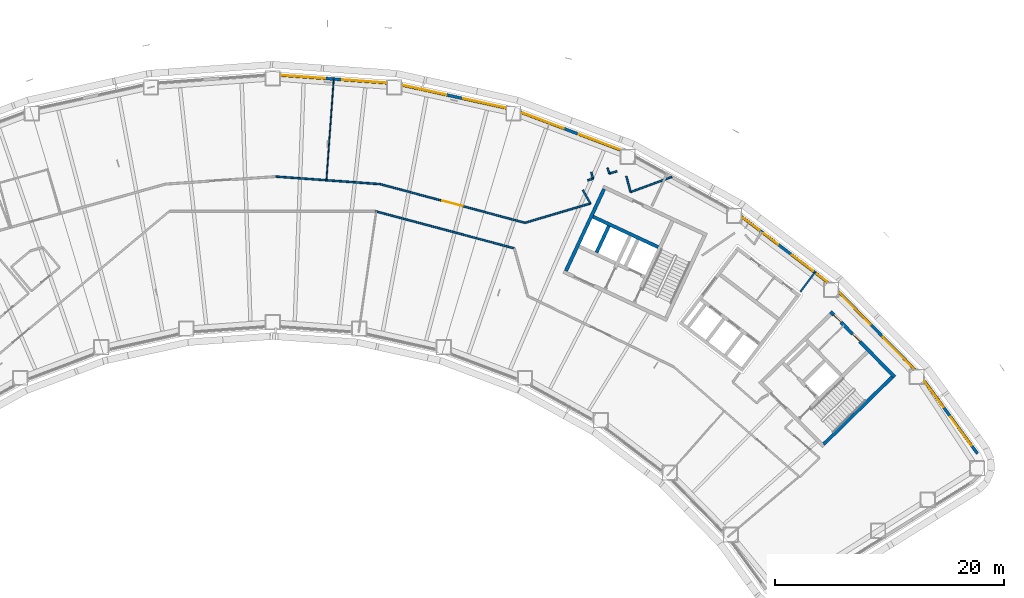
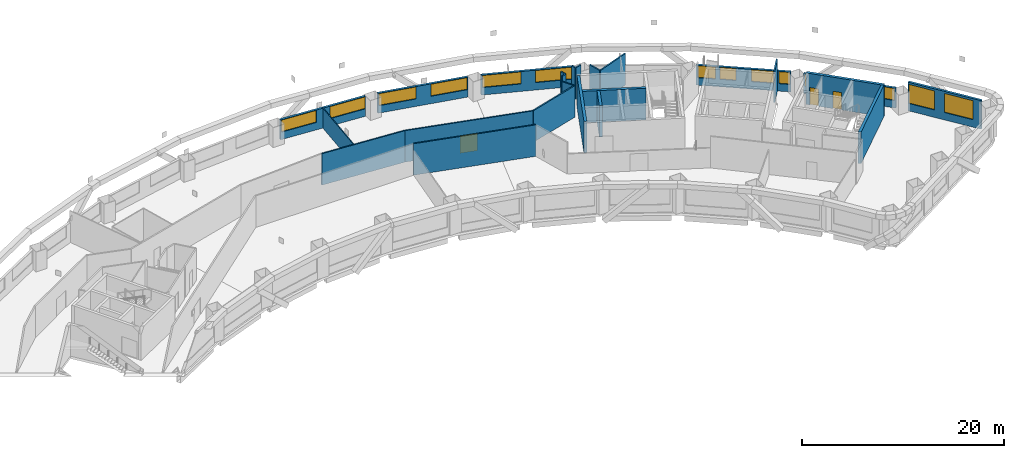
# One storey, part 7 of 19: 24 walls, 14 windows, 3 doors, 17 openings.
"""IFC4 building model written with IfcOpenShell, lengths in metres."""

import ifcopenshell
import ifcopenshell.guid

model = None  # the IFC model being written
_history = None  # IfcOwnerHistory: only IFC2X3 demands one
_inside = {}  # id of a spatial element -> (the spatial element, [elements in it])
_under = {}  # id of a project, library or spatial element -> (it, [spatial elements below it])
_declared = {}  # id of a project -> (the project, [libraries it declares])
_typed = {}  # id of a type object -> (the type object, [elements of that type])
_made_of = {}  # id of a material, layer set ... -> (it, [elements and type objects made of it])


def new_model(schema):
    """Start an empty IFC model of exactly this schema.

    Asked for "IFC4X3", IfcOpenShell would pick the latest addendum, in which some entities
    have other attributes; the version numbers below select the first issue.
    IFC2X3 requires an IfcOwnerHistory on every rooted entity: one is made here for all.
    """
    global model, _history
    if schema == "IFC4X3":
        model = ifcopenshell.file(schema_version=(4, 3, 0, 0))
    else:
        model = ifcopenshell.file(schema=schema)
    _inside.clear()
    _under.clear()
    _declared.clear()
    _typed.clear()
    _made_of.clear()
    _history = None
    if model.schema == "IFC2X3":
        org = make("IfcOrganization", Name="unknown")
        user = make(
            "IfcPersonAndOrganization",
            ThePerson=make("IfcPerson", FamilyName="unknown"),
            TheOrganization=org,
        )
        app = make(
            "IfcApplication",
            ApplicationDeveloper=org,
            Version="unknown",
            ApplicationFullName="unknown",
            ApplicationIdentifier="unknown",
        )
        _history = make(
            "IfcOwnerHistory",
            OwningUser=user,
            OwningApplication=app,
            ChangeAction="ADDED",
            CreationDate=0,
        )
    return model


def make(cls, **values):
    """One entity of the class cls with the attributes given. An attribute that is None is left unset."""
    return model.create_entity(
        cls, **{name: value for name, value in values.items() if value is not None}
    )


def rooted(cls, **values):
    """An entity with a GlobalId (a new one), such as an element, a storey or a relation."""
    return make(cls, GlobalId=ifcopenshell.guid.new(), OwnerHistory=_history, **values)


def si_unit(unit_type, name, prefix=None):
    """IfcSIUnit, for example si_unit("LENGTHUNIT", "METRE", prefix="MILLI")."""
    return make("IfcSIUnit", UnitType=unit_type, Prefix=prefix, Name=name)


def assignment(units):
    """IfcUnitAssignment: the units of a project."""
    return None if units is None else make("IfcUnitAssignment", Units=units)


def point(xyz):
    """IfcCartesianPoint."""
    return None if xyz is None else make("IfcCartesianPoint", Coordinates=xyz)


def direction(xyz):
    """IfcDirection."""
    return None if xyz is None else make("IfcDirection", DirectionRatios=xyz)


def frame(location, z_axis=None, x_axis=None):
    """IfcAxis2Placement3D, a coordinate frame: its origin and axes. An axis left out is left unset."""
    return make(
        "IfcAxis2Placement3D",
        Location=point(location),
        Axis=direction(z_axis),
        RefDirection=direction(x_axis),
    )


def frame_2d(location, x_axis=None):
    """IfcAxis2Placement2D, a coordinate frame in the plane: its origin and x axis."""
    return make(
        "IfcAxis2Placement2D", Location=point(location), RefDirection=direction(x_axis)
    )


def origin():
    """The frame at (0, 0, 0) with its axes left unset."""
    return frame((0.0, 0.0, 0.0))


def place(relative_to, where):
    """IfcLocalPlacement: puts the frame where relative to a parent placement (None: the world)."""
    return make(
        "IfcLocalPlacement", PlacementRelTo=relative_to, RelativePlacement=where
    )


def context(
    kind, dimensions, precision=None, world=None, true_north=None, identifier=None
):
    """IfcGeometricRepresentationContext, for example the 3D "Model" context."""
    return make(
        "IfcGeometricRepresentationContext",
        ContextIdentifier=identifier,
        ContextType=kind,
        CoordinateSpaceDimension=dimensions,
        Precision=precision,
        WorldCoordinateSystem=world,
        TrueNorth=true_north,
    )


def subcontext(parent, identifier, kind, view, scale=None):
    """IfcGeometricRepresentationSubContext, for example "Body" below "Model"."""
    return make(
        "IfcGeometricRepresentationSubContext",
        ContextIdentifier=identifier,
        ContextType=kind,
        ParentContext=parent,
        TargetScale=scale,
        TargetView=view,
    )


def project(units=None, contexts=None):
    """IfcProject with its units and contexts."""
    return rooted(
        "IfcProject",
        Name="project",
        RepresentationContexts=contexts,
        UnitsInContext=assignment(units),
    )


def spatial(cls, under=None, at=None, **own):
    """A site, building, storey or space (cls), placed at a placement, below another one or the project."""
    s = rooted(cls, ObjectPlacement=at, **own)
    if under is not None:
        _under.setdefault(under.id(), (under, []))[1].append(s)
    return s


def profile(cls, at=None, kind="AREA", **sizes):
    """A parametric profile (cls). Its sizes go by their IFC names, for example OverallWidth=200.0."""
    return make(cls, ProfileType=kind, Position=at, **sizes)


def rectangle(**sizes):
    """IfcRectangleProfileDef."""
    return profile("IfcRectangleProfileDef", **sizes)


def extrude(swept, where, along, depth):
    """IfcExtrudedAreaSolid: the profile swept, set in the frame where, extruded along a direction by depth."""
    return make(
        "IfcExtrudedAreaSolid",
        SweptArea=swept,
        Position=where,
        ExtrudedDirection=direction(along),
        Depth=depth,
    )


def shape(context_of_items, identifier, shape_type, items):
    """IfcShapeRepresentation: the items that make up one representation, for example the "Body"."""
    return make(
        "IfcShapeRepresentation",
        ContextOfItems=context_of_items,
        RepresentationIdentifier=identifier,
        RepresentationType=shape_type,
        Items=items,
    )


def material(Name=None, Category=None):
    """IfcMaterial."""
    return make("IfcMaterial", Name=Name, Category=Category)


def layer(
    of_material, thickness, ventilated=None, Name=None, Category=None, Priority=None
):
    """IfcMaterialLayer: one layer of a wall or slab, of a material (None: an air gap)."""
    return make(
        "IfcMaterialLayer",
        Material=of_material,
        LayerThickness=thickness,
        IsVentilated=ventilated,
        Name=Name,
        Category=Category,
        Priority=Priority,
    )


def layer_set(layers, Name=None):
    """IfcMaterialLayerSet."""
    return make("IfcMaterialLayerSet", MaterialLayers=layers, LayerSetName=Name)


def made_of(thing, what):
    """Note that an element or type object is made of a material, layer set ...; save() writes the relation."""
    if what is not None:
        _made_of.setdefault(what.id(), (what, []))[1].append(thing)
    return thing


def type_object(cls, material=None, **own):
    """A type object (cls), such as IfcWallType, which elements share."""
    return made_of(rooted(cls, **own), material)


def element(
    cls,
    number,
    at=None,
    inside=None,
    cuts=None,
    type_object=None,
    material=None,
    context=None,
    identifier="Body",
    shape_type=None,
    held_by="IfcProductDefinitionShape",
    body=None,
    shapes=None,
    **own,
):
    """One element of the class cls, such as IfcWall. Its Tag is "e" and its number.

    at: its placement. inside: the storey or other place that contains it. cuts: it is an
    opening in that element (IfcRelVoidsElement). A single representation is given by context,
    identifier, shape_type and body (its items); several are given by shapes. held_by: the class
    of the entity that holds the representations. save() writes the other relations.
    """
    e = rooted(cls, Tag="e%d" % number, ObjectPlacement=at, **own)
    if body is not None:
        shapes = [shape(context, identifier, shape_type, body)]
    if shapes is not None:
        e.Representation = make(held_by, Representations=shapes)
    if inside is not None:
        _inside.setdefault(inside.id(), (inside, []))[1].append(e)
    if cuts is not None:
        rooted(
            "IfcRelVoidsElement", RelatingBuildingElement=cuts, RelatedOpeningElement=e
        )
    if type_object is not None:
        _typed.setdefault(type_object.id(), (type_object, []))[1].append(e)
    return made_of(e, material)


def fill(opening, filler):
    """IfcRelFillsElement: the door or window that sits in an opening."""
    return rooted(
        "IfcRelFillsElement",
        RelatingOpeningElement=opening,
        RelatedBuildingElement=filler,
    )


def aggregate(whole, parts):
    """IfcRelAggregates: a whole, such as a stair, and the parts it consists of."""
    return rooted("IfcRelAggregates", RelatingObject=whole, RelatedObjects=parts)


def save(model, path):
    """Write the relations noted so far, then the file.

    IfcRelAggregates (storeys below a building ...), IfcRelContainedInSpatialStructure (elements
    in a storey), IfcRelDefinesByType, IfcRelAssociatesMaterial and IfcRelDeclares: one each for
    every whole, place, type object, material and project.
    """
    for whole, parts in _under.values():
        aggregate(whole, parts)
    for where, things in _inside.values():
        rooted(
            "IfcRelContainedInSpatialStructure",
            RelatedElements=things,
            RelatingStructure=where,
        )
    for kind, things in _typed.values():
        rooted("IfcRelDefinesByType", RelatedObjects=things, RelatingType=kind)
    for what, things in _made_of.values():
        rooted("IfcRelAssociatesMaterial", RelatedObjects=things, RelatingMaterial=what)
    for by, libraries in _declared.values():
        rooted("IfcRelDeclares", RelatingContext=by, RelatedDefinitions=libraries)
    model.write(path)


model = new_model("IFC4")

# Units and contexts
model_context = context("Model", 3, precision=1e-05, world=origin(), true_north=direction((0.0, 1.0)))
body_context = subcontext(model_context, "Body", "Model", "MODEL_VIEW")
ifc_project = project(units=[si_unit("LENGTHUNIT", "METRE"), si_unit("AREAUNIT", "SQUARE_METRE"), si_unit("VOLUMEUNIT", "CUBIC_METRE"), si_unit("PLANEANGLEUNIT", "RADIAN"), si_unit("MASSUNIT", "GRAM", prefix="KILO")], contexts=[model_context])

# Site, building, storey
site_placement = place(None, origin())
site = spatial("IfcSite", under=ifc_project, at=site_placement, CompositionType="ELEMENT")
building_placement = place(site_placement, origin())
building = spatial("IfcBuilding", under=site, at=building_placement, Name="Tuul Gate Civic Tower", CompositionType="ELEMENT")
storey_placement = place(building_placement, frame((0.0, 0.0, 56.699951171875)))
storey = spatial("IfcBuildingStorey", under=building, at=storey_placement, Name="Level 12", CompositionType="ELEMENT", Elevation=56.699951171875)

# Wall, openings, doors
ifc_material_1 = material(Name="Concrete C50/60", Category="concrete")
ifc_layer_1 = layer(ifc_material_1, 0.300048828125)
ifc_layer_set_1 = layer_set([ifc_layer_1], Name="Concrete C50/60")
wall_type_1 = type_object("IfcWallType", Name="Core wall C50/60", PredefinedType="SHEAR", material=ifc_layer_set_1)
wall_1_placement = place(storey_placement, frame((54.43798828125, -12.23779296875, 0.0), z_axis=(0.0, 0.0, 1.0), x_axis=(-0.700021979774, 0.714121297703, 0.0)))
wall_1 = element("IfcWall", 1, at=wall_1_placement, inside=storey, type_object=wall_type_1, Name="Core wall", PredefinedType="SHEAR", context=body_context, shape_type="SweptSolid", body=[
    extrude(rectangle(XDim=8.0, YDim=0.300048828125, at=frame_2d((4.0, 0.0))), origin(), (0.0, 0.0, 1.0), 3.800048828125),
])
opening_1_placement = place(wall_1_placement, frame((4.34375, 0.0, 0.0)))
opening_1 = element("IfcOpeningElement", 2, at=opening_1_placement, cuts=wall_1, Name="Opening C-D17", PredefinedType="OPENING", context=body_context, shape_type="SweptSolid", body=[
    extrude(rectangle(XDim=0.89990234375, YDim=2.10009765625, at=frame_2d((0.449951171875, 1.050048828125))), frame((0.0, 0.16015625, 0.0), z_axis=(0.0, -1.0, 0.0), x_axis=(1.0, 0.0, 0.0)), (0.0, 0.0, 1.0), 0.320068359375),
])
opening_2_placement = place(wall_1_placement, frame((6.71875, 0.0, 0.0)))
opening_2 = element("IfcOpeningElement", 3, at=opening_2_placement, cuts=wall_1, Name="Opening C-D18", PredefinedType="OPENING", context=body_context, shape_type="SweptSolid", body=[
    extrude(rectangle(XDim=0.89990234375, YDim=2.10009765625, at=frame_2d((0.449951171875, 1.050048828125))), frame((0.0, 0.16015625, 0.0), z_axis=(0.0, -1.0, 0.0), x_axis=(1.0, 0.0, 0.0)), (0.0, 0.0, 1.0), 0.320068359375),
])
ifc_material_2 = material(Name="Timber door leaf", Category="wood")
door_type_1 = type_object("IfcDoorType", Name="Door D09", OperationType="NOTDEFINED", PredefinedType="DOOR", material=ifc_material_2)
door_1_placement = place(opening_1_placement, origin())
door_1 = element("IfcDoor", 4, at=door_1_placement, inside=storey, type_object=door_type_1, Name="Door C-D17", OperationType="SINGLE_SWING_LEFT", OverallHeight=2.10009765625, OverallWidth=0.89990234375, PredefinedType="DOOR", context=body_context, shape_type="SweptSolid", body=[
    extrude(rectangle(XDim=0.89990234375, YDim=2.10009765625, at=frame_2d((0.449951171875, 1.050048828125))), frame((0.0, 0.02490234375, 0.0), z_axis=(0.0, -1.0, 0.0), x_axis=(1.0, 0.0, 0.0)), (0.0, 0.0, 1.0), 0.050048828125),
])
fill(opening_1, door_1)
door_2_placement = place(opening_2_placement, origin())
door_2 = element("IfcDoor", 5, at=door_2_placement, inside=storey, type_object=door_type_1, Name="Door C-D18", OperationType="SINGLE_SWING_LEFT", OverallHeight=2.10009765625, OverallWidth=0.89990234375, PredefinedType="DOOR", context=body_context, shape_type="SweptSolid", body=[
    extrude(rectangle(XDim=0.89990234375, YDim=2.10009765625, at=frame_2d((0.449951171875, 1.050048828125))), frame((0.0, 0.02490234375, 0.0), z_axis=(0.0, -1.0, 0.0), x_axis=(1.0, 0.0, 0.0)), (0.0, 0.0, 1.0), 0.050048828125),
])
fill(opening_2, door_2)

# Walls
wall_2_placement = place(storey_placement, frame((48.227294921875, -18.115966796875, 0.0), z_axis=(0.0, 0.0, 1.0), x_axis=(0.714105315431, 0.700038283577, 0.0)))
element("IfcWall", 6, at=wall_2_placement, inside=storey, type_object=wall_type_1, Name="Core wall", PredefinedType="SHEAR", context=body_context, shape_type="SweptSolid", body=[
    extrude(rectangle(XDim=8.400146484375, YDim=0.300048828125, at=frame_2d((4.2001953125, 0.0))), origin(), (0.0, 0.0, 1.0), 3.800048828125),
])
wall_3_placement = place(storey_placement, frame((33.75, -0.873779296875, 0.0), z_axis=(0.0, 0.0, 1.0), x_axis=(-0.906300917592, 0.422632992999, 0.0)))
element("IfcWall", 7, at=wall_3_placement, inside=storey, type_object=wall_type_1, Name="Core wall", PredefinedType="SHEAR", context=body_context, shape_type="SweptSolid", body=[
    extrude(rectangle(XDim=6.300048828125, YDim=0.300048828125, at=frame_2d((3.14990234375, 0.0))), origin(), (0.0, 0.0, 1.0), 3.800048828125),
])
wall_4_placement = place(storey_placement, frame((28.349365234375, -1.33447265625, 0.0), z_axis=(0.0, 0.0, 1.0), x_axis=(0.422612891016, 0.906310291427, 0.0)))
element("IfcWall", 8, at=wall_4_placement, inside=storey, type_object=wall_type_1, Name="Core wall", PredefinedType="SHEAR", context=body_context, shape_type="SweptSolid", body=[
    extrude(rectangle(XDim=2.550048828125, YDim=0.300048828125, at=frame_2d((1.27490234375, 0.0))), origin(), (0.0, 0.0, 1.0), 3.800048828125),
])
wall_5_placement = place(storey_placement, frame((25.66455078125, -2.951416015625, 0.0), z_axis=(0.0, 0.0, 1.0), x_axis=(0.422582604137, 0.906324413596, 0.0)))
element("IfcWall", 9, at=wall_5_placement, inside=storey, type_object=wall_type_1, Name="Core wall", PredefinedType="SHEAR", context=body_context, shape_type="SweptSolid", body=[
    extrude(rectangle(XDim=7.89990234375, YDim=0.300048828125, at=frame_2d((3.949951171875, 0.0))), origin(), (0.0, 0.0, 1.0), 3.800048828125),
])
ifc_material_3 = material(Name="Gypsum board partition")
ifc_layer_2 = layer(ifc_material_3, 0.14990234375)
ifc_layer_set_2 = layer_set([ifc_layer_2], Name="Gypsum board partition")
wall_type_2 = type_object("IfcWallType", Name="Corridor wall P150", PredefinedType="PARTITIONING", material=ifc_layer_set_2)
wall_6_placement = place(storey_placement, frame((46.173583984375, -4.787353515625, 0.0), z_axis=(0.0, 0.0, 1.0), x_axis=(0.599688962485, 0.800233183687, 0.0)))
element("IfcWall", 10, at=wall_6_placement, inside=storey, type_object=wall_type_2, Name="p010", PredefinedType="PARTITIONING", context=body_context, shape_type="SweptSolid", body=[
    extrude(rectangle(XDim=2.13525390625, YDim=0.14990234375, at=frame_2d((1.067626953125, 0.0))), origin(), (0.0, 0.0, 1.0), 3.800048828125),
])
wall_7_placement = place(storey_placement, frame((22.095947265625, 1.259521484375, 0.0), z_axis=(0.0, 0.0, 1.0), x_axis=(0.958751009034, 0.284247256234, 0.0)))
element("IfcWall", 11, at=wall_7_placement, inside=storey, type_object=wall_type_2, Name="p016", PredefinedType="PARTITIONING", context=body_context, shape_type="SweptSolid", body=[
    extrude(rectangle(XDim=5.96240234375, YDim=0.14990234375, at=frame_2d((2.981201171875, 0.0))), origin(), (0.0, 0.0, 1.0), 3.800048828125),
])
wall_8_placement = place(storey_placement, frame((31.32470703125, 3.947021484375, 0.0), z_axis=(0.0, 0.0, 1.0), x_axis=(0.938419840958, 0.345497036305, 0.0)))
element("IfcWall", 12, at=wall_8_placement, inside=storey, type_object=wall_type_2, Name="p017", PredefinedType="PARTITIONING", context=body_context, shape_type="SweptSolid", body=[
    extrude(rectangle(XDim=3.856201171875, YDim=0.14990234375, at=frame_2d((1.92822265625, 0.0))), origin(), (0.0, 0.0, 1.0), 3.800048828125),
])
wall_9_placement = place(storey_placement, frame((30.952880859375, 5.334716796875, 0.0), z_axis=(0.0, 0.0, 1.0), x_axis=(0.258815365093, -0.965926812337, 0.0)))
element("IfcWall", 13, at=wall_9_placement, inside=storey, type_object=wall_type_2, Name="p018", PredefinedType="PARTITIONING", context=body_context, shape_type="SweptSolid", body=[
    extrude(rectangle(XDim=1.436767578125, YDim=0.14990234375, at=frame_2d((0.71826171875, 0.0))), origin(), (0.0, 0.0, 1.0), 3.800048828125),
])
wall_10_placement = place(storey_placement, frame((27.57275390625, 4.96923828125, 0.0), z_axis=(0.0, 0.0, 1.0), x_axis=(0.954401444677, 0.298526183774, 0.0)))
element("IfcWall", 14, at=wall_10_placement, inside=storey, type_object=wall_type_2, Name="p019", PredefinedType="PARTITIONING", context=body_context, shape_type="SweptSolid", body=[
    extrude(rectangle(XDim=0.498046875, YDim=0.14990234375, at=frame_2d((0.2490234375, 0.0))), origin(), (0.0, 0.0, 1.0), 3.800048828125),
])
wall_11_placement = place(storey_placement, frame((29.464599609375, 5.56103515625, 0.0), z_axis=(0.0, 0.0, 1.0), x_axis=(0.954329582976, 0.298755831839, 0.0)))
element("IfcWall", 15, at=wall_11_placement, inside=storey, type_object=wall_type_2, Name="p020", PredefinedType="PARTITIONING", context=body_context, shape_type="SweptSolid", body=[
    extrude(rectangle(XDim=0.69384765625, YDim=0.14990234375, at=frame_2d((0.346923828125, 0.0))), origin(), (0.0, 0.0, 1.0), 3.800048828125),
])
wall_12_placement = place(storey_placement, frame((29.314697265625, 6.071044921875, 0.0), z_axis=(0.0, 0.0, 1.0), x_axis=(0.281992264495, -0.959416678386, 0.0)))
element("IfcWall", 16, at=wall_12_placement, inside=storey, type_object=wall_type_2, Name="p021", PredefinedType="PARTITIONING", context=body_context, shape_type="SweptSolid", body=[
    extrude(rectangle(XDim=0.531494140625, YDim=0.14990234375, at=frame_2d((0.265625, 0.0))), origin(), (0.0, 0.0, 1.0), 3.800048828125),
])
wall_13_placement = place(storey_placement, frame((27.88037109375, 5.68896484375, 0.0), z_axis=(0.0, 0.0, 1.0), x_axis=(0.281810967654, -0.959469946642, 0.0)))
element("IfcWall", 17, at=wall_13_placement, inside=storey, type_object=wall_type_2, Name="p022", PredefinedType="PARTITIONING", context=body_context, shape_type="SweptSolid", body=[
    extrude(rectangle(XDim=0.59521484375, YDim=0.14990234375, at=frame_2d((0.297607421875, 0.0))), origin(), (0.0, 0.0, 1.0), 3.800048828125),
])
wall_14_placement = place(storey_placement, frame((27.14404296875, 4.132080078125, 0.0), z_axis=(0.0, 0.0, 1.0), x_axis=(0.493612890098, -0.869681731859, 0.0)))
element("IfcWall", 18, at=wall_14_placement, inside=storey, type_object=wall_type_2, Name="p023", PredefinedType="PARTITIONING", context=body_context, shape_type="SweptSolid", body=[
    extrude(rectangle(XDim=1.354248046875, YDim=0.14990234375, at=frame_2d((0.67724609375, 0.0))), origin(), (0.0, 0.0, 1.0), 3.800048828125),
])

# Wall, opening, door
wall_15_placement = place(storey_placement, frame((9.394287109375, 4.6455078125, 0.0), z_axis=(0.0, 0.0, 1.0), x_axis=(0.96624110807, -0.25763951769, 0.0)))
wall_15 = element("IfcWall", 19, at=wall_15_placement, inside=storey, type_object=wall_type_2, Name="p024", PredefinedType="PARTITIONING", context=body_context, shape_type="SweptSolid", body=[
    extrude(rectangle(XDim=13.1376953125, YDim=0.14990234375, at=frame_2d((6.56884765625, 0.0))), origin(), (0.0, 0.0, 1.0), 3.800048828125),
])
opening_3_placement = place(wall_15_placement, frame((5.6689453125, 0.0, 0.0)))
opening_3 = element("IfcOpeningElement", 20, at=opening_3_placement, cuts=wall_15, Name="Opening C-D02", PredefinedType="OPENING", context=body_context, shape_type="SweptSolid", body=[
    extrude(rectangle(XDim=1.800048828125, YDim=2.10009765625, at=frame_2d((0.89990234375, 1.050048828125))), frame((0.0, 0.0849609375, 0.0), z_axis=(0.0, -1.0, 0.0), x_axis=(1.0, 0.0, 0.0)), (0.0, 0.0, 1.0), 0.169921875),
])
ifc_material_4 = material(Name="Timber door leaf, double", Category="wood")
door_type_2 = type_object("IfcDoorType", Name="Door D18", OperationType="DOUBLE_DOOR_SINGLE_SWING", PredefinedType="DOOR", material=ifc_material_4)
door_3_placement = place(opening_3_placement, origin())
door_3 = element("IfcDoor", 21, at=door_3_placement, inside=storey, type_object=door_type_2, Name="Door C-D02", OperationType="DOUBLE_DOOR_SINGLE_SWING", OverallHeight=2.10009765625, OverallWidth=1.800048828125, PredefinedType="DOOR", context=body_context, shape_type="SweptSolid", body=[
    extrude(rectangle(XDim=1.800048828125, YDim=2.10009765625, at=frame_2d((0.89990234375, 1.050048828125))), frame((0.0, 0.02490234375, 0.0), z_axis=(0.0, -1.0, 0.0), x_axis=(1.0, 0.0, 0.0)), (0.0, 0.0, 1.0), 0.050048828125),
])
fill(opening_3, door_3)

# Walls
wall_16_placement = place(storey_placement, frame((0.281982421875, 5.3056640625, 0.0), z_axis=(0.0, 0.0, 1.0), x_axis=(0.997386024197, -0.072257309223, 0.0)))
element("IfcWall", 22, at=wall_16_placement, inside=storey, type_object=wall_type_2, Name="p025", PredefinedType="PARTITIONING", context=body_context, shape_type="SweptSolid", body=[
    extrude(rectangle(XDim=9.13623046875, YDim=0.14990234375, at=frame_2d((4.568115234375, 0.0))), origin(), (0.0, 0.0, 1.0), 3.800048828125),
])
wall_17_placement = place(storey_placement, frame((8.99755859375, 2.267333984375, 0.0), z_axis=(0.0, 0.0, 1.0), x_axis=(0.96624525778, -0.257623954279, 0.0)))
element("IfcWall", 23, at=wall_17_placement, inside=storey, type_object=wall_type_2, Name="p043", PredefinedType="PARTITIONING", context=body_context, shape_type="SweptSolid", body=[
    extrude(rectangle(XDim=12.56591796875, YDim=0.14990234375, at=frame_2d((6.282958984375, 0.0))), origin(), (0.0, 0.0, 1.0), 3.800048828125),
])

# Wall, openings, windows
ifc_material_5 = material(Name="Precast concrete C40/50", Category="concrete")
ifc_layer_3 = layer(ifc_material_5, 0.25)
ifc_layer_set_3 = layer_set([ifc_layer_3], Name="Precast concrete C40/50")
wall_type_3 = type_object("IfcWallType", Name="External wall", PredefinedType="STANDARD", material=ifc_layer_set_3)
wall_18_placement = place(storey_placement, frame((61.68896484375, -18.94677734375, 0.0), z_axis=(0.0, 0.0, 1.0), x_axis=(-0.589806928208, 0.807544294412, 0.0)))
wall_18 = element("IfcWall", 24, at=wall_18_placement, inside=storey, type_object=wall_type_3, Name="External wall", PredefinedType="STANDARD", context=body_context, shape_type="SweptSolid", body=[
    extrude(rectangle(XDim=7.912841796875, YDim=0.25, at=frame_2d((3.95654296875, 0.0))), origin(), (0.0, 0.0, 1.0), 3.449951171875),
])
opening_4_placement = place(wall_18_placement, frame((0.883056640625, 0.0, 0.89990234375)))
opening_4 = element("IfcOpeningElement", 25, at=opening_4_placement, cuts=wall_18, Name="Opening W102", PredefinedType="OPENING", context=body_context, shape_type="SweptSolid", body=[
    extrude(rectangle(XDim=3.10009765625, YDim=2.300048828125, at=frame_2d((1.550048828125, 1.14990234375))), frame((0.0, 0.135009765625, 0.0), z_axis=(0.0, -1.0, 0.0), x_axis=(1.0, 0.0, 0.0)), (0.0, 0.0, 1.0), 0.27001953125),
])
opening_5_placement = place(wall_18_placement, frame((5.052001953125, 0.0, 0.89990234375)))
opening_5 = element("IfcOpeningElement", 26, at=opening_5_placement, cuts=wall_18, Name="Opening W23", PredefinedType="OPENING", context=body_context, shape_type="SweptSolid", body=[
    extrude(rectangle(XDim=2.800048828125, YDim=2.300048828125, at=frame_2d((1.39990234375, 1.14990234375))), frame((0.0, 0.135009765625, 0.0), z_axis=(0.0, -1.0, 0.0), x_axis=(1.0, 0.0, 0.0)), (0.0, 0.0, 1.0), 0.27001953125),
])
ifc_material_6 = material(Name="Glass", Category="glass")
window_type_1 = type_object("IfcWindowType", Name="Window W102 3100 x 2300", PartitioningType="SINGLE_PANEL", PredefinedType="WINDOW", material=ifc_material_6)
window_1_placement = place(opening_4_placement, origin())
window_1 = element("IfcWindow", 27, at=window_1_placement, inside=storey, type_object=window_type_1, Name="Window", OverallHeight=2.300048828125, OverallWidth=3.10009765625, PartitioningType="SINGLE_PANEL", PredefinedType="WINDOW", context=body_context, shape_type="SweptSolid", body=[
    extrude(rectangle(XDim=3.10009765625, YDim=2.300048828125, at=frame_2d((1.550048828125, 1.14990234375))), frame((0.0, 0.030029296875, 0.0), z_axis=(0.0, -1.0, 0.0), x_axis=(1.0, 0.0, 0.0)), (0.0, 0.0, 1.0), 0.06005859375),
])
fill(opening_4, window_1)
ifc_material_7 = material(Name="Glass", Category="glass")
window_type_2 = type_object("IfcWindowType", Name="Window W23 2800 x 2300", PartitioningType="SINGLE_PANEL", PredefinedType="WINDOW", material=ifc_material_7)
window_2_placement = place(opening_5_placement, origin())
window_2 = element("IfcWindow", 28, at=window_2_placement, inside=storey, type_object=window_type_2, Name="Window", OverallHeight=2.300048828125, OverallWidth=2.800048828125, PartitioningType="SINGLE_PANEL", PredefinedType="WINDOW", context=body_context, shape_type="SweptSolid", body=[
    extrude(rectangle(XDim=2.800048828125, YDim=2.300048828125, at=frame_2d((1.39990234375, 1.14990234375))), frame((0.0, 0.030029296875, 0.0), z_axis=(0.0, -1.0, 0.0), x_axis=(1.0, 0.0, 0.0)), (0.0, 0.0, 1.0), 0.06005859375),
])
fill(opening_5, window_2)

ifc_material_8 = material(Name="Precast concrete C40/50", Category="concrete")
ifc_layer_4 = layer(ifc_material_8, 0.25)
ifc_layer_set_4 = layer_set([ifc_layer_4], Name="Precast concrete C40/50")
wall_type_4 = type_object("IfcWallType", Name="External wall 2400 HIGH", PredefinedType="STANDARD", material=ifc_layer_set_4)
wall_19_placement = place(storey_placement, frame((56.18896484375, -11.56689453125, 0.0), z_axis=(0.0, 0.0, 1.0), x_axis=(-0.699994476854, 0.714148256578, 0.0)))
wall_19 = element("IfcWall", 29, at=wall_19_placement, inside=storey, type_object=wall_type_4, Name="External wall", PredefinedType="STANDARD", context=body_context, shape_type="SweptSolid", body=[
    extrude(rectangle(XDim=9.487060546875, YDim=0.25, at=frame_2d((4.74365234375, 0.0))), origin(), (0.0, 0.0, 1.0), 2.400146484375),
])
opening_6_placement = place(wall_19_placement, frame((0.135986328125, 0.0, 0.89990234375)))
opening_6 = element("IfcOpeningElement", 30, at=opening_6_placement, cuts=wall_19, Name="Opening W103", PredefinedType="OPENING", context=body_context, shape_type="SweptSolid", body=[
    extrude(rectangle(XDim=3.85009765625, YDim=1.449951171875, at=frame_2d((1.925048828125, 0.72509765625))), frame((0.0, 0.135009765625, 0.0), z_axis=(0.0, -1.0, 0.0), x_axis=(1.0, 0.0, 0.0)), (0.0, 0.0, 1.0), 0.27001953125),
])
opening_7_placement = place(wall_19_placement, frame((5.507080078125, 0.0, 0.89990234375)))
opening_7 = element("IfcOpeningElement", 31, at=opening_7_placement, cuts=wall_19, Name="Opening W103", PredefinedType="OPENING", context=body_context, shape_type="SweptSolid", body=[
    extrude(rectangle(XDim=3.85009765625, YDim=1.449951171875, at=frame_2d((1.925048828125, 0.72509765625))), frame((0.0, 0.135009765625, 0.0), z_axis=(0.0, -1.0, 0.0), x_axis=(1.0, 0.0, 0.0)), (0.0, 0.0, 1.0), 0.27001953125),
])
ifc_material_9 = material(Name="Glass", Category="glass")
window_type_3 = type_object("IfcWindowType", Name="Window W103 3850 x 1450", PartitioningType="SINGLE_PANEL", PredefinedType="WINDOW", material=ifc_material_9)
window_3_placement = place(opening_6_placement, origin())
window_3 = element("IfcWindow", 32, at=window_3_placement, inside=storey, type_object=window_type_3, Name="Window", OverallHeight=1.449951171875, OverallWidth=3.85009765625, PartitioningType="SINGLE_PANEL", PredefinedType="WINDOW", context=body_context, shape_type="SweptSolid", body=[
    extrude(rectangle(XDim=3.85009765625, YDim=1.449951171875, at=frame_2d((1.925048828125, 0.72509765625))), frame((0.0, 0.030029296875, 0.0), z_axis=(0.0, -1.0, 0.0), x_axis=(1.0, 0.0, 0.0)), (0.0, 0.0, 1.0), 0.06005859375),
])
fill(opening_6, window_3)
window_4_placement = place(opening_7_placement, origin())
window_4 = element("IfcWindow", 33, at=window_4_placement, inside=storey, type_object=window_type_3, Name="Window", OverallHeight=1.449951171875, OverallWidth=3.85009765625, PartitioningType="SINGLE_PANEL", PredefinedType="WINDOW", context=body_context, shape_type="SweptSolid", body=[
    extrude(rectangle(XDim=3.85009765625, YDim=1.449951171875, at=frame_2d((1.925048828125, 0.72509765625))), frame((0.0, 0.030029296875, 0.0), z_axis=(0.0, -1.0, 0.0), x_axis=(1.0, 0.0, 0.0)), (0.0, 0.0, 1.0), 0.06005859375),
])
fill(opening_7, window_4)

wall_20_placement = place(storey_placement, frame((48.579833984375, -3.94189453125, 0.0), z_axis=(0.0, 0.0, 1.0), x_axis=(-0.795612935537, 0.605805296119, 0.0)))
wall_20 = element("IfcWall", 34, at=wall_20_placement, inside=storey, type_object=wall_type_4, Name="External wall", PredefinedType="STANDARD", context=body_context, shape_type="SweptSolid", body=[
    extrude(rectangle(XDim=9.461669921875, YDim=0.25, at=frame_2d((4.73095703125, 0.0))), origin(), (0.0, 0.0, 1.0), 2.400146484375),
])
opening_8_placement = place(wall_20_placement, frame((0.10009765625, 0.0, 0.89990234375)))
opening_8 = element("IfcOpeningElement", 35, at=opening_8_placement, cuts=wall_20, Name="Opening W121", PredefinedType="OPENING", context=body_context, shape_type="SweptSolid", body=[
    extrude(rectangle(XDim=1.10009765625, YDim=1.449951171875, at=frame_2d((0.550048828125, 0.72509765625))), frame((0.0, 0.135009765625, 0.0), z_axis=(0.0, -1.0, 0.0), x_axis=(1.0, 0.0, 0.0)), (0.0, 0.0, 1.0), 0.27001953125),
])
opening_9_placement = place(wall_20_placement, frame((1.625, 0.0, 0.89990234375)))
opening_9 = element("IfcOpeningElement", 36, at=opening_9_placement, cuts=wall_20, Name="Opening W122", PredefinedType="OPENING", context=body_context, shape_type="SweptSolid", body=[
    extrude(rectangle(XDim=2.300048828125, YDim=1.449951171875, at=frame_2d((1.14990234375, 0.72509765625))), frame((0.0, 0.135009765625, 0.0), z_axis=(0.0, -1.0, 0.0), x_axis=(1.0, 0.0, 0.0)), (0.0, 0.0, 1.0), 0.27001953125),
])
opening_10_placement = place(wall_20_placement, frame((5.471923828125, 0.0, 0.89990234375)))
opening_10 = element("IfcOpeningElement", 37, at=opening_10_placement, cuts=wall_20, Name="Opening W123", PredefinedType="OPENING", context=body_context, shape_type="SweptSolid", body=[
    extrude(rectangle(XDim=1.60009765625, YDim=1.449951171875, at=frame_2d((0.800048828125, 0.72509765625))), frame((0.0, 0.135009765625, 0.0), z_axis=(0.0, -1.0, 0.0), x_axis=(1.0, 0.0, 0.0)), (0.0, 0.0, 1.0), 0.27001953125),
])
opening_11_placement = place(wall_20_placement, frame((7.4970703125, 0.0, 0.89990234375)))
opening_11 = element("IfcOpeningElement", 38, at=opening_11_placement, cuts=wall_20, Name="Opening W124", PredefinedType="OPENING", context=body_context, shape_type="SweptSolid", body=[
    extrude(rectangle(XDim=1.800048828125, YDim=1.449951171875, at=frame_2d((0.89990234375, 0.72509765625))), frame((0.0, 0.135009765625, 0.0), z_axis=(0.0, -1.0, 0.0), x_axis=(1.0, 0.0, 0.0)), (0.0, 0.0, 1.0), 0.27001953125),
])
ifc_material_10 = material(Name="Glass", Category="glass")
window_type_4 = type_object("IfcWindowType", Name="Window W121 1100 x 1450", PartitioningType="SINGLE_PANEL", PredefinedType="WINDOW", material=ifc_material_10)
window_5_placement = place(opening_8_placement, origin())
window_5 = element("IfcWindow", 39, at=window_5_placement, inside=storey, type_object=window_type_4, Name="Window", OverallHeight=1.449951171875, OverallWidth=1.10009765625, PartitioningType="SINGLE_PANEL", PredefinedType="WINDOW", context=body_context, shape_type="SweptSolid", body=[
    extrude(rectangle(XDim=1.10009765625, YDim=1.449951171875, at=frame_2d((0.550048828125, 0.72509765625))), frame((0.0, 0.030029296875, 0.0), z_axis=(0.0, -1.0, 0.0), x_axis=(1.0, 0.0, 0.0)), (0.0, 0.0, 1.0), 0.06005859375),
])
fill(opening_8, window_5)
ifc_material_11 = material(Name="Glass", Category="glass")
window_type_5 = type_object("IfcWindowType", Name="Window W122 2300 x 1450", PartitioningType="SINGLE_PANEL", PredefinedType="WINDOW", material=ifc_material_11)
window_6_placement = place(opening_9_placement, origin())
window_6 = element("IfcWindow", 40, at=window_6_placement, inside=storey, type_object=window_type_5, Name="Window", OverallHeight=1.449951171875, OverallWidth=2.300048828125, PartitioningType="SINGLE_PANEL", PredefinedType="WINDOW", context=body_context, shape_type="SweptSolid", body=[
    extrude(rectangle(XDim=2.300048828125, YDim=1.449951171875, at=frame_2d((1.14990234375, 0.72509765625))), frame((0.0, 0.030029296875, 0.0), z_axis=(0.0, -1.0, 0.0), x_axis=(1.0, 0.0, 0.0)), (0.0, 0.0, 1.0), 0.06005859375),
])
fill(opening_9, window_6)
ifc_material_12 = material(Name="Glass", Category="glass")
window_type_6 = type_object("IfcWindowType", Name="Window W123 1600 x 1450", PartitioningType="SINGLE_PANEL", PredefinedType="WINDOW", material=ifc_material_12)
window_7_placement = place(opening_10_placement, origin())
window_7 = element("IfcWindow", 41, at=window_7_placement, inside=storey, type_object=window_type_6, Name="Window", OverallHeight=1.449951171875, OverallWidth=1.60009765625, PartitioningType="SINGLE_PANEL", PredefinedType="WINDOW", context=body_context, shape_type="SweptSolid", body=[
    extrude(rectangle(XDim=1.60009765625, YDim=1.449951171875, at=frame_2d((0.800048828125, 0.72509765625))), frame((0.0, 0.030029296875, 0.0), z_axis=(0.0, -1.0, 0.0), x_axis=(1.0, 0.0, 0.0)), (0.0, 0.0, 1.0), 0.06005859375),
])
fill(opening_10, window_7)
ifc_material_13 = material(Name="Glass", Category="glass")
window_type_7 = type_object("IfcWindowType", Name="Window W124 1800 x 1450", PartitioningType="SINGLE_PANEL", PredefinedType="WINDOW", material=ifc_material_13)
window_8_placement = place(opening_11_placement, origin())
window_8 = element("IfcWindow", 42, at=window_8_placement, inside=storey, type_object=window_type_7, Name="Window", OverallHeight=1.449951171875, OverallWidth=1.800048828125, PartitioningType="SINGLE_PANEL", PredefinedType="WINDOW", context=body_context, shape_type="SweptSolid", body=[
    extrude(rectangle(XDim=1.800048828125, YDim=1.449951171875, at=frame_2d((0.89990234375, 0.72509765625))), frame((0.0, 0.030029296875, 0.0), z_axis=(0.0, -1.0, 0.0), x_axis=(1.0, 0.0, 0.0)), (0.0, 0.0, 1.0), 0.06005859375),
])
fill(opening_11, window_8)

wall_21_placement = place(storey_placement, frame((30.4140625, 7.6455078125, 0.0), z_axis=(0.0, 0.0, 1.0), x_axis=(-0.93537723485, 0.353651563724, 0.0)))
wall_21 = element("IfcWall", 43, at=wall_21_placement, inside=storey, type_object=wall_type_4, Name="External wall", PredefinedType="STANDARD", context=body_context, shape_type="SweptSolid", body=[
    extrude(rectangle(XDim=9.287109375, YDim=0.25, at=frame_2d((4.6435546875, 0.0))), origin(), (0.0, 0.0, 1.0), 2.400146484375),
])
opening_12_placement = place(wall_21_placement, frame((0.0458984375, 0.0, 0.89990234375)))
opening_12 = element("IfcOpeningElement", 44, at=opening_12_placement, cuts=wall_21, Name="Opening W105", PredefinedType="OPENING", context=body_context, shape_type="SweptSolid", body=[
    extrude(rectangle(XDim=3.800048828125, YDim=1.449951171875, at=frame_2d((1.89990234375, 0.72509765625))), frame((0.0, 0.135009765625, 0.0), z_axis=(0.0, -1.0, 0.0), x_axis=(1.0, 0.0, 0.0)), (0.0, 0.0, 1.0), 0.27001953125),
])
opening_13_placement = place(wall_21_placement, frame((5.281982421875, 0.0, 0.89990234375)))
opening_13 = element("IfcOpeningElement", 45, at=opening_13_placement, cuts=wall_21, Name="Opening W103", PredefinedType="OPENING", context=body_context, shape_type="SweptSolid", body=[
    extrude(rectangle(XDim=3.85009765625, YDim=1.449951171875, at=frame_2d((1.925048828125, 0.72509765625))), frame((0.0, 0.135009765625, 0.0), z_axis=(0.0, -1.0, 0.0), x_axis=(1.0, 0.0, 0.0)), (0.0, 0.0, 1.0), 0.27001953125),
])
window_9_placement = place(opening_13_placement, origin())
window_9 = element("IfcWindow", 46, at=window_9_placement, inside=storey, type_object=window_type_3, Name="Window", OverallHeight=1.449951171875, OverallWidth=3.85009765625, PartitioningType="SINGLE_PANEL", PredefinedType="WINDOW", context=body_context, shape_type="SweptSolid", body=[
    extrude(rectangle(XDim=3.85009765625, YDim=1.449951171875, at=frame_2d((1.925048828125, 0.72509765625))), frame((0.0, 0.030029296875, 0.0), z_axis=(0.0, -1.0, 0.0), x_axis=(1.0, 0.0, 0.0)), (0.0, 0.0, 1.0), 0.06005859375),
])
fill(opening_13, window_9)
ifc_material_14 = material(Name="Glass", Category="glass")
window_type_8 = type_object("IfcWindowType", Name="Window W105 3800 x 1450", PartitioningType="SINGLE_PANEL", PredefinedType="WINDOW", material=ifc_material_14)
window_10_placement = place(opening_12_placement, origin())
window_10 = element("IfcWindow", 47, at=window_10_placement, inside=storey, type_object=window_type_8, Name="Window", OverallHeight=1.449951171875, OverallWidth=3.800048828125, PartitioningType="SINGLE_PANEL", PredefinedType="WINDOW", context=body_context, shape_type="SweptSolid", body=[
    extrude(rectangle(XDim=3.800048828125, YDim=1.449951171875, at=frame_2d((1.89990234375, 0.72509765625))), frame((0.0, 0.030029296875, 0.0), z_axis=(0.0, -1.0, 0.0), x_axis=(1.0, 0.0, 0.0)), (0.0, 0.0, 1.0), 0.06005859375),
])
fill(opening_12, window_10)

wall_22_placement = place(storey_placement, frame((20.427001953125, 11.304443359375, 0.0), z_axis=(0.0, 0.0, 1.0), x_axis=(-0.97654219172, 0.215326142841, 0.0)))
wall_22 = element("IfcWall", 48, at=wall_22_placement, inside=storey, type_object=wall_type_4, Name="External wall", PredefinedType="STANDARD", context=body_context, shape_type="SweptSolid", body=[
    extrude(rectangle(XDim=9.34716796875, YDim=0.25, at=frame_2d((4.673583984375, 0.0))), origin(), (0.0, 0.0, 1.0), 2.400146484375),
])
opening_14_placement = place(wall_22_placement, frame((0.04296875, 0.0, 0.89990234375)))
opening_14 = element("IfcOpeningElement", 49, at=opening_14_placement, cuts=wall_22, Name="Opening W105", PredefinedType="OPENING", context=body_context, shape_type="SweptSolid", body=[
    extrude(rectangle(XDim=3.800048828125, YDim=1.449951171875, at=frame_2d((1.89990234375, 0.72509765625))), frame((0.0, 0.135009765625, 0.0), z_axis=(0.0, -1.0, 0.0), x_axis=(1.0, 0.0, 0.0)), (0.0, 0.0, 1.0), 0.27001953125),
])
opening_15_placement = place(wall_22_placement, frame((5.363037109375, 0.0, 0.89990234375)))
opening_15 = element("IfcOpeningElement", 50, at=opening_15_placement, cuts=wall_22, Name="Opening W103", PredefinedType="OPENING", context=body_context, shape_type="SweptSolid", body=[
    extrude(rectangle(XDim=3.85009765625, YDim=1.449951171875, at=frame_2d((1.925048828125, 0.72509765625))), frame((0.0, 0.135009765625, 0.0), z_axis=(0.0, -1.0, 0.0), x_axis=(1.0, 0.0, 0.0)), (0.0, 0.0, 1.0), 0.27001953125),
])
window_11_placement = place(opening_15_placement, origin())
window_11 = element("IfcWindow", 51, at=window_11_placement, inside=storey, type_object=window_type_3, Name="Window", OverallHeight=1.449951171875, OverallWidth=3.85009765625, PartitioningType="SINGLE_PANEL", PredefinedType="WINDOW", context=body_context, shape_type="SweptSolid", body=[
    extrude(rectangle(XDim=3.85009765625, YDim=1.449951171875, at=frame_2d((1.925048828125, 0.72509765625))), frame((0.0, 0.030029296875, 0.0), z_axis=(0.0, -1.0, 0.0), x_axis=(1.0, 0.0, 0.0)), (0.0, 0.0, 1.0), 0.06005859375),
])
fill(opening_15, window_11)
window_12_placement = place(opening_14_placement, origin())
window_12 = element("IfcWindow", 52, at=window_12_placement, inside=storey, type_object=window_type_8, Name="Window", OverallHeight=1.449951171875, OverallWidth=3.800048828125, PartitioningType="SINGLE_PANEL", PredefinedType="WINDOW", context=body_context, shape_type="SweptSolid", body=[
    extrude(rectangle(XDim=3.800048828125, YDim=1.449951171875, at=frame_2d((1.89990234375, 0.72509765625))), frame((0.0, 0.030029296875, 0.0), z_axis=(0.0, -1.0, 0.0), x_axis=(1.0, 0.0, 0.0)), (0.0, 0.0, 1.0), 0.06005859375),
])
fill(opening_14, window_12)

wall_23_placement = place(storey_placement, frame((9.9990234375, 13.50048828125, 0.0), z_axis=(0.0, 0.0, 1.0), x_axis=(-0.997388413682, 0.072224318983, 0.0)))
wall_23 = element("IfcWall", 53, at=wall_23_placement, inside=storey, type_object=wall_type_4, Name="External wall", PredefinedType="STANDARD", context=body_context, shape_type="SweptSolid", body=[
    extrude(rectangle(XDim=9.37353515625, YDim=0.25, at=frame_2d((4.686767578125, 0.0))), origin(), (0.0, 0.0, 1.0), 2.400146484375),
])
opening_16_placement = place(wall_23_placement, frame((0.052978515625, 0.0, 0.89990234375)))
opening_16 = element("IfcOpeningElement", 54, at=opening_16_placement, cuts=wall_23, Name="Opening W103", PredefinedType="OPENING", context=body_context, shape_type="SweptSolid", body=[
    extrude(rectangle(XDim=3.85009765625, YDim=1.449951171875, at=frame_2d((1.925048828125, 0.72509765625))), frame((0.0, 0.135009765625, 0.0), z_axis=(0.0, -1.0, 0.0), x_axis=(1.0, 0.0, 0.0)), (0.0, 0.0, 1.0), 0.27001953125),
])
opening_17_placement = place(wall_23_placement, frame((5.424072265625, 0.0, 0.89990234375)))
opening_17 = element("IfcOpeningElement", 55, at=opening_17_placement, cuts=wall_23, Name="Opening W103", PredefinedType="OPENING", context=body_context, shape_type="SweptSolid", body=[
    extrude(rectangle(XDim=3.85009765625, YDim=1.449951171875, at=frame_2d((1.925048828125, 0.72509765625))), frame((0.0, 0.135009765625, 0.0), z_axis=(0.0, -1.0, 0.0), x_axis=(1.0, 0.0, 0.0)), (0.0, 0.0, 1.0), 0.27001953125),
])
window_13_placement = place(opening_16_placement, origin())
window_13 = element("IfcWindow", 56, at=window_13_placement, inside=storey, type_object=window_type_3, Name="Window", OverallHeight=1.449951171875, OverallWidth=3.85009765625, PartitioningType="SINGLE_PANEL", PredefinedType="WINDOW", context=body_context, shape_type="SweptSolid", body=[
    extrude(rectangle(XDim=3.85009765625, YDim=1.449951171875, at=frame_2d((1.925048828125, 0.72509765625))), frame((0.0, 0.030029296875, 0.0), z_axis=(0.0, -1.0, 0.0), x_axis=(1.0, 0.0, 0.0)), (0.0, 0.0, 1.0), 0.06005859375),
])
fill(opening_16, window_13)
window_14_placement = place(opening_17_placement, origin())
window_14 = element("IfcWindow", 57, at=window_14_placement, inside=storey, type_object=window_type_3, Name="Window", OverallHeight=1.449951171875, OverallWidth=3.85009765625, PartitioningType="SINGLE_PANEL", PredefinedType="WINDOW", context=body_context, shape_type="SweptSolid", body=[
    extrude(rectangle(XDim=3.85009765625, YDim=1.449951171875, at=frame_2d((1.925048828125, 0.72509765625))), frame((0.0, 0.030029296875, 0.0), z_axis=(0.0, -1.0, 0.0), x_axis=(1.0, 0.0, 0.0)), (0.0, 0.0, 1.0), 0.06005859375),
])
fill(opening_17, window_14)

# Wall
ifc_material_15 = material(Name="Gypsum board partition")
ifc_layer_5 = layer(ifc_material_15, 0.10009765625)
ifc_layer_set_5 = layer_set([ifc_layer_5], Name="Gypsum board partition")
wall_type_5 = type_object("IfcWallType", Name="Partition P100 2400 HIGH", PredefinedType="PARTITIONING", material=ifc_layer_set_5)
wall_24_placement = place(storey_placement, frame((4.70703125, 4.985107421875, 0.0), z_axis=(0.0, 0.0, 1.0), x_axis=(0.072249290175, 0.997386605118, 0.0)))
element("IfcWall", 58, at=wall_24_placement, inside=storey, type_object=wall_type_5, Name="p011", PredefinedType="PARTITIONING", context=body_context, shape_type="SweptSolid", body=[
    extrude(rectangle(XDim=8.88037109375, YDim=0.10009765625, at=frame_2d((4.440185546875, 0.0))), origin(), (0.0, 0.0, 1.0), 2.400146484375),
])

save(model, "model.ifc")
